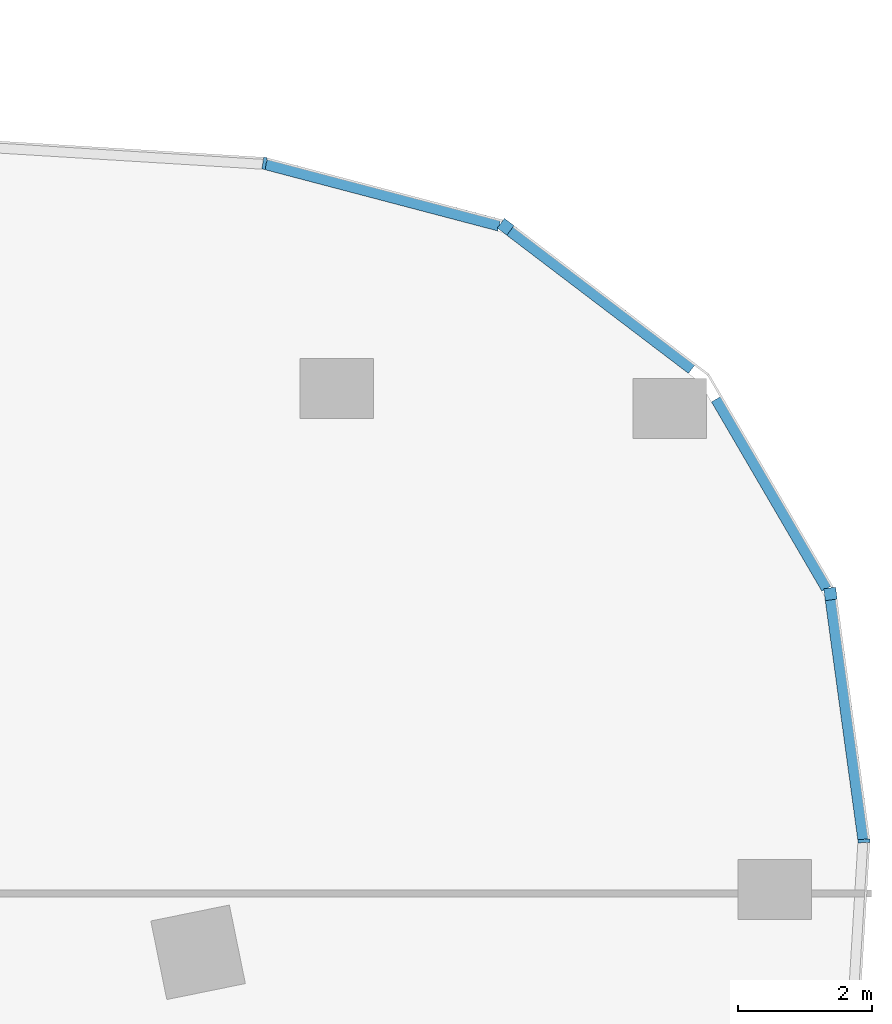
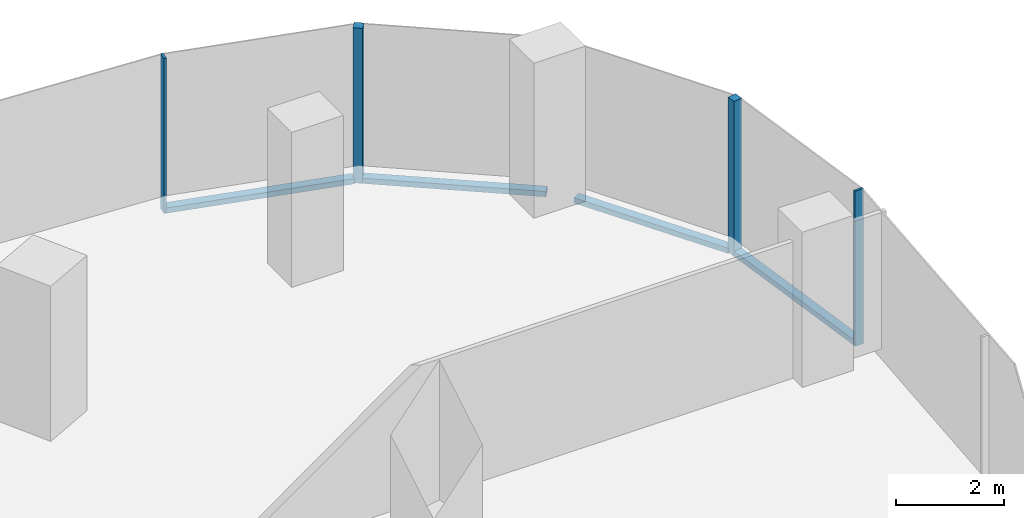
# One storey, part 13 of 25: 8 members, 5 elements without a shape of their own.
"""IFC4 building model written with IfcOpenShell, lengths in metres."""

from ifc_helpers import new_model, si_unit, direction, frame, origin, origin_2d, place, context, subcontext, project, spatial, rectangle, extrude, material, material_profile, profile_set, type_object, element, aggregate, save


model = new_model("IFC4")

# Units and contexts
model_context = context("Model", 3, precision=1e-05, world=origin(), true_north=direction((0.0, 1.0)))
body_context = subcontext(model_context, "Body", "Model", "MODEL_VIEW")
ifc_project = project(units=[si_unit("LENGTHUNIT", "METRE"), si_unit("AREAUNIT", "SQUARE_METRE"), si_unit("VOLUMEUNIT", "CUBIC_METRE"), si_unit("PLANEANGLEUNIT", "RADIAN"), si_unit("MASSUNIT", "GRAM", prefix="KILO")], contexts=[model_context])

# Site, building, storey
site_placement = place(None, origin())
site = spatial("IfcSite", under=ifc_project, at=site_placement, CompositionType="ELEMENT")
building_placement = place(site_placement, origin())
building = spatial("IfcBuilding", under=site, at=building_placement, Name="Orlundy Tower", CompositionType="ELEMENT")
storey_placement = place(building_placement, frame((0.0, 0.0, 159.60009765625)))
storey = spatial("IfcBuildingStorey", under=building, at=storey_placement, Name="L41", CompositionType="ELEMENT", Elevation=159.60009765625)

# Curtain wall, member
ifc_material_1 = material(Name="Aluminium bronze anodised", Category="aluminium")
curtain_wall_type = type_object("IfcCurtainWallType", Name="CW1 wall", PredefinedType="NOTDEFINED", material=ifc_material_1)
curtain_wall_1_placement = place(storey_placement, origin())
curtain_wall_1 = element("IfcCurtainWall", 1, at=curtain_wall_1_placement, inside=storey, type_object=curtain_wall_type, Name="CW1 run 08", PredefinedType="NOTDEFINED")
ifc_material_2 = material(Name="Aluminium bronze anodised", Category="aluminium")
ifc_material_profile_1 = material_profile(ifc_material_2, rectangle(XDim=0.179931640625, YDim=0.179931640625, at=origin_2d()), Name="CW1 corner post 180x180")
ifc_profile_set_1 = profile_set([ifc_material_profile_1], Name="Aluminium bronze anodised")
member_type_1 = type_object("IfcMemberType", Name="CW1 corner post 180x180", PredefinedType="MULLION", material=ifc_profile_set_1)
member_1_placement = place(storey_placement, frame((35.788330078125, 17.20849609375, -0.400146484375), z_axis=(0.0, 0.0, 1.0), x_axis=(0.605254299097, 0.796032181149, 0.0)))
member_1 = element("IfcMember", 2, at=member_1_placement, type_object=member_type_1, Name="CW1 mullion 29", PredefinedType="MULLION", context=body_context, shape_type="SweptSolid", body=[
    extrude(rectangle(XDim=0.179931640625, YDim=0.179931640625, at=origin_2d()), origin(), (0.0, 0.0, 1.0), 3.5),
])

curtain_wall_2_placement = place(storey_placement, origin())
curtain_wall_2 = element("IfcCurtainWall", 3, at=curtain_wall_2_placement, inside=storey, type_object=curtain_wall_type, Name="CW1 run 010", PredefinedType="NOTDEFINED")
member_2_placement = place(storey_placement, frame((40.65283203125, 11.7109375, -0.400146484375), z_axis=(0.0, 0.0, 1.0), x_axis=(0.990897352983, 0.134619596829, 0.0)))
member_2 = element("IfcMember", 4, at=member_2_placement, type_object=member_type_1, Name="CW1 mullion 31", PredefinedType="MULLION", context=body_context, shape_type="SweptSolid", body=[
    extrude(rectangle(XDim=0.179931640625, YDim=0.179931640625, at=origin_2d()), origin(), (0.0, 0.0, 1.0), 3.5),
])

curtain_wall_3_placement = place(storey_placement, origin())
curtain_wall_3 = element("IfcCurtainWall", 5, at=curtain_wall_3_placement, inside=storey, type_object=curtain_wall_type, Name="CW1 run 07", PredefinedType="NOTDEFINED")
ifc_material_3 = material(Name="Aluminium bronze anodised", Category="aluminium")
ifc_material_profile_2 = material_profile(ifc_material_3, rectangle(XDim=0.179931640625, YDim=0.050048828125, at=origin_2d()), Name="CW1 mullion 50x180")
ifc_profile_set_2 = profile_set([ifc_material_profile_2], Name="Aluminium bronze anodised")
member_type_2 = type_object("IfcMemberType", Name="CW1 mullion 50x180", PredefinedType="MULLION", material=ifc_profile_set_2)
member_3_placement = place(storey_placement, frame((32.17724609375, 18.1591796875, -0.400146484375), z_axis=(0.0, 0.0, 1.0), x_axis=(0.158616021358, 0.987340345458, 0.0)))
member_3 = element("IfcMember", 6, at=member_3_placement, type_object=member_type_2, Name="CW1 mullion 28", PredefinedType="MULLION", context=body_context, shape_type="SweptSolid", body=[
    extrude(rectangle(XDim=0.179931640625, YDim=0.050048828125, at=origin_2d()), origin(), (0.0, 0.0, 1.0), 3.5),
])

curtain_wall_4_placement = place(storey_placement, origin())
curtain_wall_4 = element("IfcCurtainWall", 7, at=curtain_wall_4_placement, inside=storey, type_object=curtain_wall_type, Name="CW1 run 011", PredefinedType="NOTDEFINED")
member_4_placement = place(storey_placement, frame((41.1552734375, 8.01123046875, -0.400146484375), z_axis=(0.0, 0.0, 1.0), x_axis=(0.999316605295, 0.036963798261, 0.0)))
member_4 = element("IfcMember", 8, at=member_4_placement, type_object=member_type_2, Name="CW1 mullion 32", PredefinedType="MULLION", context=body_context, shape_type="SweptSolid", body=[
    extrude(rectangle(XDim=0.179931640625, YDim=0.050048828125, at=origin_2d()), origin(), (0.0, 0.0, 1.0), 3.5),
])
aggregate(curtain_wall_4, [member_4])

# Member
ifc_material_4 = material(Name="Aluminium bronze anodised", Category="aluminium")
ifc_material_profile_3 = material_profile(ifc_material_4, rectangle(XDim=0.179931640625, YDim=0.1201171875, at=origin_2d()), Name="CW1 transom 180x120")
ifc_profile_set_3 = profile_set([ifc_material_profile_3], Name="Aluminium bronze anodised")
member_type_3 = type_object("IfcMemberType", Name="CW1 transom 180x120", PredefinedType="USERDEFINED", material=ifc_profile_set_3)
member_5_placement = place(storey_placement, frame((32.20166015625, 18.15283203125, -0.340087890625), z_axis=(0.967049137848, -0.254589797493, 0.0), x_axis=(0.254589797493, 0.967049137848, 0.0)))
member_5 = element("IfcMember", 9, at=member_5_placement, type_object=member_type_3, Name="CW1 transom", ObjectType="TRANSOM", PredefinedType="USERDEFINED", context=body_context, shape_type="SweptSolid", body=[
    extrude(rectangle(XDim=0.179931640625, YDim=0.1201171875, at=origin_2d()), origin(), (0.0, 0.0, 1.0), 3.611328125),
])

aggregate(curtain_wall_3, [member_3, member_5])

member_6_placement = place(storey_placement, frame((35.85986328125, 17.154052734375, -0.340087890625), z_axis=(0.796023176339, -0.605266142066, 0.0), x_axis=(0.605266142066, 0.796023176339, 0.0)))
member_6 = element("IfcMember", 10, at=member_6_placement, type_object=member_type_3, Name="CW1 transom", ObjectType="TRANSOM", PredefinedType="USERDEFINED", context=body_context, shape_type="SweptSolid", body=[
    extrude(rectangle(XDim=0.179931640625, YDim=0.1201171875, at=origin_2d()), origin(), (0.0, 0.0, 1.0), 3.41845703125),
])

aggregate(curtain_wall_1, [member_1, member_6])

# Curtain wall, member
curtain_wall_5_placement = place(storey_placement, origin())
curtain_wall_5 = element("IfcCurtainWall", 11, at=curtain_wall_5_placement, inside=storey, type_object=curtain_wall_type, Name="CW1 run 09", PredefinedType="NOTDEFINED")
member_7_placement = place(storey_placement, frame((38.948974609375, 14.63134765625, -0.340087890625), z_axis=(0.503917250301, -0.863751934788, 0.0), x_axis=(0.863751934788, 0.503917250301, 0.0)))
member_7 = element("IfcMember", 12, at=member_7_placement, type_object=member_type_3, Name="CW1 transom", ObjectType="TRANSOM", PredefinedType="USERDEFINED", context=body_context, shape_type="SweptSolid", body=[
    extrude(rectangle(XDim=0.179931640625, YDim=0.1201171875, at=origin_2d()), origin(), (0.0, 0.0, 1.0), 3.283935546875),
])
aggregate(curtain_wall_5, [member_7])

# Member
member_8_placement = place(storey_placement, frame((40.664794921875, 11.62158203125, -0.340087890625), z_axis=(0.134673598661, -0.990890014998, 0.0), x_axis=(0.990890014998, 0.134673598661, 0.0)))
member_8 = element("IfcMember", 13, at=member_8_placement, type_object=member_type_3, Name="CW1 transom", ObjectType="TRANSOM", PredefinedType="USERDEFINED", context=body_context, shape_type="SweptSolid", body=[
    extrude(rectangle(XDim=0.179931640625, YDim=0.1201171875, at=origin_2d()), origin(), (0.0, 0.0, 1.0), 3.618408203125),
])

aggregate(curtain_wall_2, [member_2, member_8])

save(model, "model.ifc")
